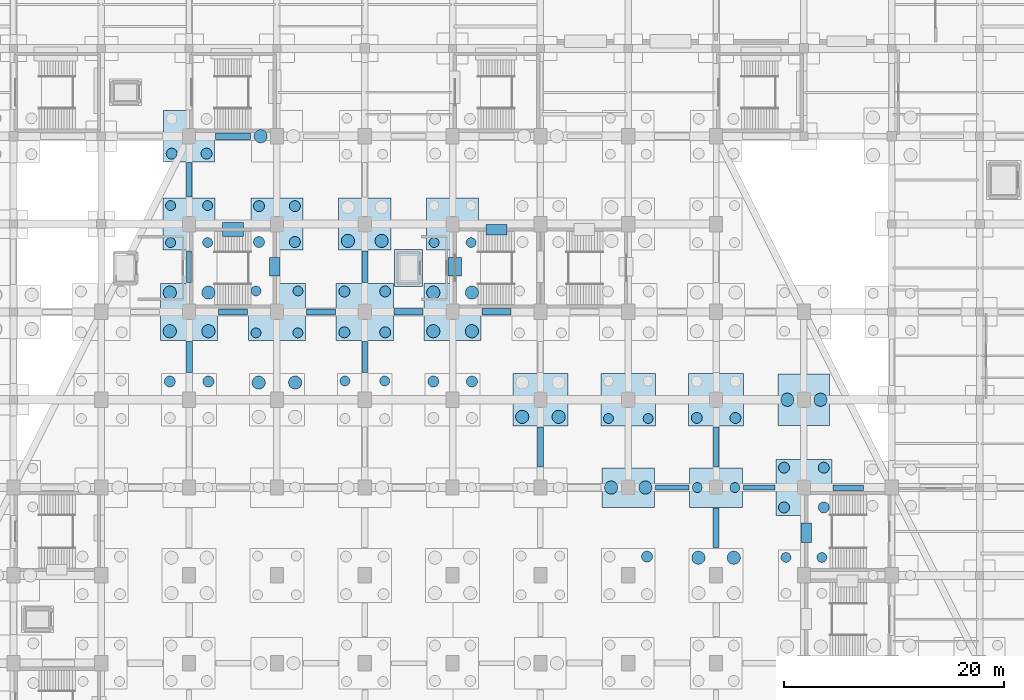
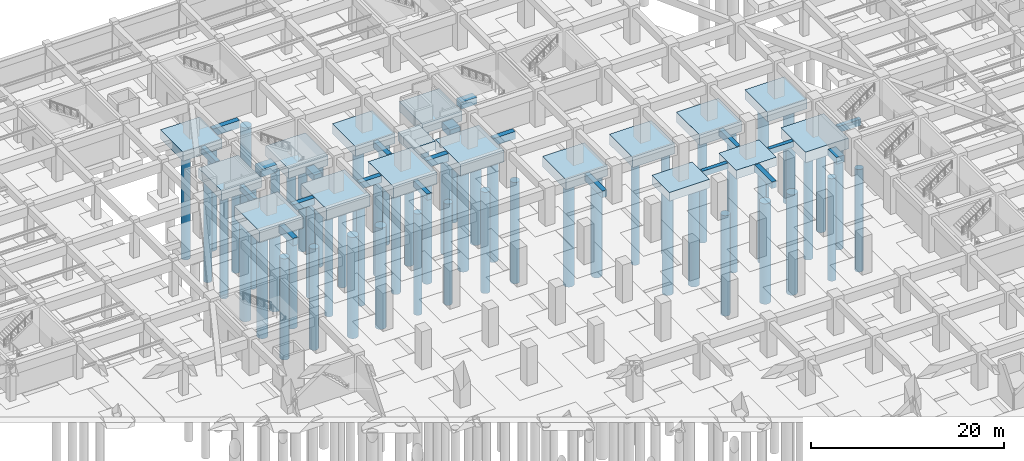
# One storey, part 10 of 36: 60 piles, 38 footings.
"""IFC4 building model written with IfcOpenShell, lengths in metres."""

from ifc_helpers import new_model, si_unit, direction, frame, origin, origin_2d, place, context, subcontext, project, spatial, rectangle, circle, extrude, material, material_profile, profile_set, type_object, element, save


model = new_model("IFC4")

# Units and contexts
model_context = context("Model", 3, precision=1e-05, world=origin(), true_north=direction((0.0, 1.0)))
body_context = subcontext(model_context, "Body", "Model", "MODEL_VIEW")
ifc_project = project(units=[si_unit("LENGTHUNIT", "METRE"), si_unit("AREAUNIT", "SQUARE_METRE"), si_unit("VOLUMEUNIT", "CUBIC_METRE"), si_unit("PLANEANGLEUNIT", "RADIAN"), si_unit("MASSUNIT", "GRAM", prefix="KILO")], contexts=[model_context])

# Site, building, storey
site_placement = place(None, origin())
site = spatial("IfcSite", under=ifc_project, at=site_placement, CompositionType="ELEMENT")
building_placement = place(site_placement, origin())
building = spatial("IfcBuilding", under=site, at=building_placement, Name="Tazarka Park Arena", CompositionType="ELEMENT")
storey_placement = place(building_placement, frame((0.0, 0.0, -4.800048828125)))
storey = spatial("IfcBuildingStorey", under=building, at=storey_placement, Name="B1", CompositionType="ELEMENT", Elevation=-4.800048828125)

# Footings
ifc_material_1 = material(Name="Concrete C35/45", Category="concrete")
footing_type_1 = type_object("IfcFootingType", Name="CAP-PC-01", PredefinedType="PILE_CAP", material=ifc_material_1)
footing_1_placement = place(storey_placement, frame((120.0, 88.0, -1.19970703125), z_axis=(0.0, 0.0, 1.0), x_axis=(1.0, 0.0, 0.0)))
element("IfcFooting", 1, at=footing_1_placement, inside=storey, type_object=footing_type_1, Name="CAP-G-15-11", PredefinedType="PILE_CAP", context=body_context, shape_type="SweptSolid", body=[
    extrude(rectangle(XDim=4.699951171875, YDim=4.699951171875, at=origin_2d()), origin(), (0.0, 0.0, 1.0), 1.199951171875),
])
ifc_material_2 = material(Name="Concrete C35/45", Category="concrete")
footing_type_2 = type_object("IfcFootingType", Name="CAP-PC-03", PredefinedType="PILE_CAP", material=ifc_material_2)
for number, where, z_axis, x_axis, name in (
    (2, (104.0, 80.0, -1.10009765625), (0.0, 0.0, 1.0), (1.0, 0.0, 0.0), "CAP-G-13-10"),
    (3, (112.0, 80.0, -1.10009765625), (0.0, 0.0, 1.0), (1.0, 0.0, 0.0), "CAP-G-14-10"),
):
    element("IfcFooting", number, at=place(storey_placement, frame(where, z_axis=z_axis, x_axis=x_axis)), inside=storey, type_object=footing_type_2, Name=name, PredefinedType="PILE_CAP", context=body_context, shape_type="SweptSolid", body=[
        extrude(rectangle(XDim=4.800048828125, YDim=3.60009765625, at=origin_2d()), origin(), (0.0, 0.0, 1.0), 1.10009765625),
    ])
ifc_material_3 = material(Name="Concrete C35/45", Category="concrete")
footing_type_3 = type_object("IfcFootingType", Name="CAP-PC-04", PredefinedType="PILE_CAP", material=ifc_material_3)
for number, where, z_axis, x_axis, name in (
    (4, (96.0, 88.0, -1.2998046875), (0.0, 0.0, 1.0), (1.0, 0.0, 0.0), "CAP-G-12-11"),
    (5, (104.0, 88.0, -1.2998046875), (0.0, 0.0, 1.0), (1.0, 0.0, 0.0), "CAP-G-13-11"),
    (6, (112.0, 88.0, -1.2998046875), (0.0, 0.0, 1.0), (1.0, 0.0, 0.0), "CAP-G-14-11"),
):
    element("IfcFooting", number, at=place(storey_placement, frame(where, z_axis=z_axis, x_axis=x_axis)), inside=storey, type_object=footing_type_3, Name=name, PredefinedType="PILE_CAP", context=body_context, shape_type="SweptSolid", body=[
        extrude(rectangle(XDim=5.0, YDim=4.800048828125, at=origin_2d()), origin(), (0.0, 0.0, 1.0), 1.300048828125),
    ])
ifc_material_4 = material(Name="Concrete C35/45", Category="concrete")
footing_type_4 = type_object("IfcFootingType", Name="CAP-PC-05", PredefinedType="PILE_CAP", material=ifc_material_4)
for number, where, z_axis, x_axis, name in (
    (7, (64.0, 96.0, -1.5), (0.0, 0.0, 1.0), (1.0, 0.0, 0.0), "CAP-G-08-12"),
    (8, (72.0, 96.0, -1.5), (0.0, 0.0, 1.0), (1.0, 0.0, 0.0), "CAP-G-09-12"),
    (9, (80.0, 96.0, -1.5), (0.0, 0.0, 1.0), (1.0, 0.0, 0.0), "CAP-G-10-12"),
    (10, (88.0, 96.0, -1.5), (0.0, 0.0, 1.0), (1.0, 0.0, 0.0), "CAP-G-11-12"),
):
    element("IfcFooting", number, at=place(storey_placement, frame(where, z_axis=z_axis, x_axis=x_axis)), inside=storey, type_object=footing_type_4, Name=name, PredefinedType="PILE_CAP", context=body_context, shape_type="SweptSolid", body=[
        extrude(rectangle(XDim=5.199951171875, YDim=5.199951171875, at=origin_2d()), origin(), (0.0, 0.0, 1.0), 1.5),
    ])
ifc_material_5 = material(Name="Concrete C35/45", Category="concrete")
footing_type_5 = type_object("IfcFootingType", Name="CAP-PC-06", PredefinedType="PILE_CAP", material=ifc_material_5)
for number, where, z_axis, x_axis, name in (
    (11, (64.0, 104.0, -1.25), (0.0, 0.0, 1.0), (1.0, 0.0, 0.0), "CAP-G-08-13"),
    (12, (72.0, 104.0, -1.25), (0.0, 0.0, 1.0), (1.0, 0.0, 0.0), "CAP-G-09-13"),
    (13, (80.0, 104.0, -1.25), (0.0, 0.0, 1.0), (1.0, 0.0, 0.0), "CAP-G-10-13"),
    (14, (88.0, 104.0, -1.25), (0.0, 0.0, 1.0), (1.0, 0.0, 0.0), "CAP-G-11-13"),
):
    element("IfcFooting", number, at=place(storey_placement, frame(where, z_axis=z_axis, x_axis=x_axis)), inside=storey, type_object=footing_type_5, Name=name, PredefinedType="PILE_CAP", context=body_context, shape_type="SweptSolid", body=[
        extrude(rectangle(XDim=4.75, YDim=4.75, at=origin_2d()), origin(), (0.0, 0.0, 1.0), 1.25),
    ])
ifc_material_6 = material(Name="Concrete C35/45", Category="concrete")
footing_type_6 = type_object("IfcFootingType", Name="CAP-PC-07", PredefinedType="PILE_CAP", material=ifc_material_6)
footing_2_placement = place(storey_placement, frame((64.0, 112.0, -1.14990234375), z_axis=(0.0, 0.0, 1.0), x_axis=(1.0, 0.0, 0.0)))
element("IfcFooting", 15, at=footing_2_placement, inside=storey, type_object=footing_type_6, Name="CAP-G-08-14", PredefinedType="PILE_CAP", context=body_context, shape_type="SweptSolid", body=[
    extrude(rectangle(XDim=4.64990234375, YDim=4.64990234375, at=origin_2d()), origin(), (0.0, 0.0, 1.0), 1.14990234375),
])
ifc_material_7 = material(Name="Concrete C35/45", Category="concrete")
footing_type_7 = type_object("IfcFootingType", Name="CAP-PC-08", PredefinedType="PILE_CAP", material=ifc_material_7)
footing_3_placement = place(storey_placement, frame((120.0, 80.0, -1.35009765625), z_axis=(0.0, 0.0, 1.0), x_axis=(1.0, 0.0, 0.0)))
element("IfcFooting", 16, at=footing_3_placement, inside=storey, type_object=footing_type_7, Name="CAP-G-15-10", PredefinedType="PILE_CAP", context=body_context, shape_type="SweptSolid", body=[
    extrude(rectangle(XDim=5.10009765625, YDim=5.10009765625, at=origin_2d()), origin(), (0.0, 0.0, 1.0), 1.35009765625),
])
ifc_material_8 = material(Name="Concrete C35/45", Category="concrete")
ifc_material_profile_1 = material_profile(ifc_material_8, rectangle(XDim=0.449951171875, YDim=0.699951171875, at=origin_2d()), Name="Concrete C35/45")
ifc_profile_set_1 = profile_set([ifc_material_profile_1], Name="Concrete C35/45")
footing_type_8 = type_object("IfcFootingType", Name="GB-GB-01", PredefinedType="FOOTING_BEAM", material=ifc_profile_set_1)
footing_4_placement = place(storey_placement, frame((64.0, 98.679931640625, -0.349853515625), z_axis=(0.0, 1.0, 0.0), x_axis=(-1.0, 0.0, 0.0)))
element("IfcFooting", 17, at=footing_4_placement, inside=storey, type_object=footing_type_8, Name="GB-Y-08-12", PredefinedType="FOOTING_BEAM", context=body_context, shape_type="SweptSolid", body=[
    extrude(rectangle(XDim=0.449951171875, YDim=0.699951171875, at=origin_2d()), origin(), (0.0, 0.0, 1.0), 2.864990234375),
])
footing_5_placement = place(storey_placement, frame((106.47998046875, 80.0, -0.349853515625), z_axis=(1.0, 0.0, 0.0), x_axis=(0.0, 1.0, 0.0)))
element("IfcFooting", 18, at=footing_5_placement, inside=storey, type_object=footing_type_8, Name="GB-X-13-10", PredefinedType="FOOTING_BEAM", context=body_context, shape_type="SweptSolid", body=[
    extrude(rectangle(XDim=0.449951171875, YDim=0.699951171875, at=origin_2d()), origin(), (0.0, 0.0, 1.0), 3.0400390625),
])
footing_6_placement = place(storey_placement, frame((114.47998046875, 80.0, -0.349853515625), z_axis=(1.0, 0.0, 0.0), x_axis=(0.0, 1.0, 0.0)))
element("IfcFooting", 19, at=footing_6_placement, inside=storey, type_object=footing_type_8, Name="GB-X-14-10", PredefinedType="FOOTING_BEAM", context=body_context, shape_type="SweptSolid", body=[
    extrude(rectangle(XDim=0.449951171875, YDim=0.699951171875, at=origin_2d()), origin(), (0.0, 0.0, 1.0), 2.89013671875),
])
ifc_material_9 = material(Name="Concrete C35/45", Category="concrete")
ifc_material_profile_2 = material_profile(ifc_material_9, rectangle(XDim=0.5, YDim=0.800048828125, at=origin_2d()), Name="Concrete C35/45")
ifc_profile_set_2 = profile_set([ifc_material_profile_2], Name="Concrete C35/45")
footing_type_9 = type_object("IfcFootingType", Name="GB-GB-02", PredefinedType="FOOTING_BEAM", material=ifc_profile_set_2)
footing_7_placement = place(storey_placement, frame((64.0, 106.455078125, -0.39990234375), z_axis=(0.0, 1.0, 0.0), x_axis=(-1.0, 0.0, 0.0)))
element("IfcFooting", 20, at=footing_7_placement, inside=storey, type_object=footing_type_9, Name="GB-Y-08-13", PredefinedType="FOOTING_BEAM", context=body_context, shape_type="SweptSolid", body=[
    extrude(rectangle(XDim=0.5, YDim=0.800048828125, at=origin_2d()), origin(), (0.0, 0.0, 1.0), 3.139892578125),
])
footing_8_placement = place(storey_placement, frame((80.0, 90.47998046875, -0.39990234375), z_axis=(0.0, 1.0, 0.0), x_axis=(-1.0, 0.0, 0.0)))
element("IfcFooting", 21, at=footing_8_placement, inside=storey, type_object=footing_type_9, Name="GB-Y-10-11", PredefinedType="FOOTING_BEAM", context=body_context, shape_type="SweptSolid", body=[
    extrude(rectangle(XDim=0.5, YDim=0.800048828125, at=origin_2d()), origin(), (0.0, 0.0, 1.0), 2.840087890625),
])
footing_9_placement = place(storey_placement, frame((112.0, 81.8798828125, -0.39990234375), z_axis=(0.0, 1.0, 0.0), x_axis=(-1.0, 0.0, 0.0)))
element("IfcFooting", 22, at=footing_9_placement, inside=storey, type_object=footing_type_9, Name="GB-Y-14-10", PredefinedType="FOOTING_BEAM", context=body_context, shape_type="SweptSolid", body=[
    extrude(rectangle(XDim=0.5, YDim=0.800048828125, at=origin_2d()), origin(), (0.0, 0.0, 1.0), 3.64013671875),
])
footing_10_placement = place(storey_placement, frame((122.6298828125, 80.0, -0.39990234375), z_axis=(1.0, 0.0, 0.0), x_axis=(0.0, 1.0, 0.0)))
element("IfcFooting", 23, at=footing_10_placement, inside=storey, type_object=footing_type_9, Name="GB-X-15-10", PredefinedType="FOOTING_BEAM", context=body_context, shape_type="SweptSolid", body=[
    extrude(rectangle(XDim=0.5, YDim=0.800048828125, at=origin_2d()), origin(), (0.0, 0.0, 1.0), 2.7900390625),
])
ifc_material_10 = material(Name="Concrete C35/45", Category="concrete")
ifc_material_profile_3 = material_profile(ifc_material_10, rectangle(XDim=0.60009765625, YDim=0.949951171875, at=origin_2d()), Name="Concrete C35/45")
ifc_profile_set_3 = profile_set([ifc_material_profile_3], Name="Concrete C35/45")
footing_type_10 = type_object("IfcFootingType", Name="GB-GB-03", PredefinedType="FOOTING_BEAM", material=ifc_profile_set_3)
footing_11_placement = place(storey_placement, frame((64.0, 90.47998046875, -0.474853515625), z_axis=(0.0, 1.0, 0.0), x_axis=(-1.0, 0.0, 0.0)))
element("IfcFooting", 24, at=footing_11_placement, inside=storey, type_object=footing_type_10, Name="GB-Y-08-11", PredefinedType="FOOTING_BEAM", context=body_context, shape_type="SweptSolid", body=[
    extrude(rectangle(XDim=0.60009765625, YDim=0.949951171875, at=origin_2d()), origin(), (0.0, 0.0, 1.0), 2.840087890625),
])
footing_12_placement = place(storey_placement, frame((66.405029296875, 112.0, -0.474853515625), z_axis=(1.0, 0.0, 0.0), x_axis=(0.0, 1.0, 0.0)))
element("IfcFooting", 25, at=footing_12_placement, inside=storey, type_object=footing_type_10, Name="GB-X-08-14", PredefinedType="FOOTING_BEAM", context=body_context, shape_type="SweptSolid", body=[
    extrude(rectangle(XDim=0.60009765625, YDim=0.949951171875, at=origin_2d()), origin(), (0.0, 0.0, 1.0), 3.18994140625),
])
for number, where, z_axis, x_axis, name in (
    (26, (82.679931640625, 96.0, -0.474853515625), (1.0, 0.0, 0.0), (0.0, 1.0, 0.0), "GB-X-10-12"),
    (27, (90.679931640625, 96.0, -0.474853515625), (1.0, 0.0, 0.0), (0.0, 1.0, 0.0), "GB-X-11-12"),
):
    element("IfcFooting", number, at=place(storey_placement, frame(where, z_axis=z_axis, x_axis=x_axis)), inside=storey, type_object=footing_type_10, Name=name, PredefinedType="FOOTING_BEAM", context=body_context, shape_type="SweptSolid", body=[
        extrude(rectangle(XDim=0.60009765625, YDim=0.949951171875, at=origin_2d()), origin(), (0.0, 0.0, 1.0), 2.64013671875),
    ])
ifc_material_11 = material(Name="Concrete C35/45", Category="concrete")
ifc_material_profile_4 = material_profile(ifc_material_11, rectangle(XDim=0.550048828125, YDim=0.85009765625, at=origin_2d()), Name="Concrete C35/45")
ifc_profile_set_4 = profile_set([ifc_material_profile_4], Name="Concrete C35/45")
footing_type_11 = type_object("IfcFootingType", Name="GB-GB-04", PredefinedType="FOOTING_BEAM", material=ifc_profile_set_4)
for number, where, z_axis, x_axis, name in (
    (28, (66.679931640625, 96.0, -0.425048828125), (1.0, 0.0, 0.0), (0.0, 1.0, 0.0), "GB-X-08-12"),
    (29, (74.679931640625, 96.0, -0.425048828125), (1.0, 0.0, 0.0), (0.0, 1.0, 0.0), "GB-X-09-12"),
):
    element("IfcFooting", number, at=place(storey_placement, frame(where, z_axis=z_axis, x_axis=x_axis)), inside=storey, type_object=footing_type_11, Name=name, PredefinedType="FOOTING_BEAM", context=body_context, shape_type="SweptSolid", body=[
        extrude(rectangle(XDim=0.550048828125, YDim=0.85009765625, at=origin_2d()), origin(), (0.0, 0.0, 1.0), 2.64013671875),
    ])
footing_13_placement = place(storey_placement, frame((80.0, 98.679931640625, -0.425048828125), z_axis=(0.0, 1.0, 0.0), x_axis=(-1.0, 0.0, 0.0)))
element("IfcFooting", 30, at=footing_13_placement, inside=storey, type_object=footing_type_11, Name="GB-Y-10-12", PredefinedType="FOOTING_BEAM", context=body_context, shape_type="SweptSolid", body=[
    extrude(rectangle(XDim=0.550048828125, YDim=0.85009765625, at=origin_2d()), origin(), (0.0, 0.0, 1.0), 2.864990234375),
])
footing_14_placement = place(storey_placement, frame((96.0, 81.8798828125, -0.425048828125), z_axis=(0.0, 1.0, 0.0), x_axis=(-1.0, 0.0, 0.0)))
element("IfcFooting", 31, at=footing_14_placement, inside=storey, type_object=footing_type_11, Name="GB-Y-12-10", PredefinedType="FOOTING_BEAM", context=body_context, shape_type="SweptSolid", body=[
    extrude(rectangle(XDim=0.550048828125, YDim=0.85009765625, at=origin_2d()), origin(), (0.0, 0.0, 1.0), 3.64013671875),
])
footing_15_placement = place(storey_placement, frame((112.0, 74.530029296875, -0.425048828125), z_axis=(0.0, 1.0, 0.0), x_axis=(-1.0, 0.0, 0.0)))
element("IfcFooting", 32, at=footing_15_placement, inside=storey, type_object=footing_type_11, Name="GB-Y-14-09", PredefinedType="FOOTING_BEAM", context=body_context, shape_type="SweptSolid", body=[
    extrude(rectangle(XDim=0.550048828125, YDim=0.85009765625, at=origin_2d()), origin(), (0.0, 0.0, 1.0), 3.590087890625),
])
ifc_material_12 = material(Name="Concrete C35/45", Category="concrete")
footing_type_12 = type_object("IfcFootingType", Name="PAD-PF-05", PredefinedType="PAD_FOOTING", material=ifc_material_12)
footing_16_placement = place(storey_placement, frame((84.0, 100.0, -1.0498046875), z_axis=(0.0, 0.0, 1.0), x_axis=(1.0, 0.0, 0.0)))
element("IfcFooting", 33, at=footing_16_placement, inside=storey, type_object=footing_type_12, Name="PAD-LF-LF-03", PredefinedType="PAD_FOOTING", context=body_context, shape_type="SweptSolid", body=[
    extrude(rectangle(XDim=2.5400390625, YDim=3.340087890625, at=origin_2d()), origin(), (0.0, 0.0, 1.0), 1.050048828125),
])

# Piles
ifc_material_13 = material(Name="Concrete C35/45", Category="concrete")
ifc_material_profile_5 = material_profile(ifc_material_13, circle(Radius=0.5, at=origin_2d()), Name="Concrete C35/45")
ifc_profile_set_5 = profile_set([ifc_material_profile_5], Name="Concrete C35/45")
pile_type_1 = type_object("IfcPileType", Name="PILE-D1000", PredefinedType="BORED", material=ifc_profile_set_5)
for number, where, z_axis, x_axis, name in (
    (34, (62.239990234375, 89.659912109375, -1.199951171875), (0.0, 0.0, -1.0), (1.0, 0.0, 0.0), "PLN-G-08-11-3"),
    (35, (65.760009765625, 89.659912109375, -1.199951171875), (0.0, 0.0, -1.0), (1.0, 0.0, 0.0), "PLN-G-08-11-4"),
):
    element("IfcPile", number, at=place(storey_placement, frame(where, z_axis=z_axis, x_axis=x_axis)), inside=storey, type_object=pile_type_1, Name=name, PredefinedType="BORED", context=body_context, shape_type="SweptSolid", body=[
        extrude(circle(Radius=0.5, at=origin_2d()), origin(), (0.0, 0.0, 1.0), 12.800048828125),
    ])
for number, where, z_axis, x_axis, name in (
    (36, (62.4150390625, 110.4150390625, -1.050048828125), (0.0, 0.0, -1.0), (1.0, 0.0, 0.0), "PLN-G-08-14-1"),
    (37, (65.5849609375, 110.4150390625, -1.050048828125), (0.0, 0.0, -1.0), (1.0, 0.0, 0.0), "PLN-G-08-14-2"),
):
    element("IfcPile", number, at=place(storey_placement, frame(where, z_axis=z_axis, x_axis=x_axis)), inside=storey, type_object=pile_type_1, Name=name, PredefinedType="BORED", context=body_context, shape_type="SweptSolid", body=[
        extrude(circle(Radius=0.5, at=origin_2d()), origin(), (0.0, 0.0, 1.0), 12.949951171875),
    ])
for number, where, z_axis, x_axis, name in (
    (38, (70.364990234375, 102.364990234375, -1.14990234375), (0.0, 0.0, -1.0), (1.0, 0.0, 0.0), "PLN-G-09-13-1"),
    (39, (73.635009765625, 102.364990234375, -1.14990234375), (0.0, 0.0, -1.0), (1.0, 0.0, 0.0), "PLN-G-09-13-2"),
    (40, (70.364990234375, 105.635009765625, -1.14990234375), (0.0, 0.0, -1.0), (1.0, 0.0, 0.0), "PLN-G-09-13-3"),
    (41, (73.635009765625, 105.635009765625, -1.14990234375), (0.0, 0.0, -1.0), (1.0, 0.0, 0.0), "PLN-G-09-13-4"),
):
    element("IfcPile", number, at=place(storey_placement, frame(where, z_axis=z_axis, x_axis=x_axis)), inside=storey, type_object=pile_type_1, Name=name, PredefinedType="BORED", context=body_context, shape_type="SweptSolid", body=[
        extrude(circle(Radius=0.5, at=origin_2d()), origin(), (0.0, 0.0, 1.0), 12.85009765625),
    ])
for number, where, z_axis, x_axis, name in (
    (42, (78.139892578125, 94.139892578125, -1.39990234375), (0.0, 0.0, -1.0), (1.0, 0.0, 0.0), "PLN-G-10-12-1"),
    (43, (81.860107421875, 94.139892578125, -1.39990234375), (0.0, 0.0, -1.0), (1.0, 0.0, 0.0), "PLN-G-10-12-2"),
    (44, (78.139892578125, 97.860107421875, -1.39990234375), (0.0, 0.0, -1.0), (1.0, 0.0, 0.0), "PLN-G-10-12-3"),
    (45, (81.860107421875, 97.860107421875, -1.39990234375), (0.0, 0.0, -1.0), (1.0, 0.0, 0.0), "PLN-G-10-12-4"),
):
    element("IfcPile", number, at=place(storey_placement, frame(where, z_axis=z_axis, x_axis=x_axis)), inside=storey, type_object=pile_type_1, Name=name, PredefinedType="BORED", context=body_context, shape_type="SweptSolid", body=[
        extrude(circle(Radius=0.5, at=origin_2d()), origin(), (0.0, 0.0, 1.0), 12.60009765625),
    ])
for number, where, z_axis, x_axis, name in (
    (46, (86.239990234375, 89.659912109375, -1.199951171875), (0.0, 0.0, -1.0), (1.0, 0.0, 0.0), "PLN-G-11-11-3"),
    (47, (89.760009765625, 89.659912109375, -1.199951171875), (0.0, 0.0, -1.0), (1.0, 0.0, 0.0), "PLN-G-11-11-4"),
):
    element("IfcPile", number, at=place(storey_placement, frame(where, z_axis=z_axis, x_axis=x_axis)), inside=storey, type_object=pile_type_1, Name=name, PredefinedType="BORED", context=body_context, shape_type="SweptSolid", body=[
        extrude(circle(Radius=0.5, at=origin_2d()), origin(), (0.0, 0.0, 1.0), 12.800048828125),
    ])
pile_1_placement = place(storey_placement, frame((105.7099609375, 73.7099609375, -1.300048828125), z_axis=(0.0, 0.0, -1.0), x_axis=(1.0, 0.0, 0.0)))
element("IfcPile", 48, at=pile_1_placement, inside=storey, type_object=pile_type_1, Name="PLN-G-13-09-4", PredefinedType="BORED", context=body_context, shape_type="SweptSolid", body=[
    extrude(circle(Radius=0.5, at=origin_2d()), origin(), (0.0, 0.0, 1.0), 12.699951171875),
])
for number, where, z_axis, x_axis, name in (
    (49, (110.239990234375, 86.340087890625, -1.199951171875), (0.0, 0.0, -1.0), (1.0, 0.0, 0.0), "PLN-G-14-11-1"),
    (50, (113.760009765625, 86.340087890625, -1.199951171875), (0.0, 0.0, -1.0), (1.0, 0.0, 0.0), "PLN-G-14-11-2"),
):
    element("IfcPile", number, at=place(storey_placement, frame(where, z_axis=z_axis, x_axis=x_axis)), inside=storey, type_object=pile_type_1, Name=name, PredefinedType="BORED", context=body_context, shape_type="SweptSolid", body=[
        extrude(circle(Radius=0.5, at=origin_2d()), origin(), (0.0, 0.0, 1.0), 12.800048828125),
    ])
for number, where, z_axis, x_axis, name in (
    (51, (118.18994140625, 78.18994140625, -1.25), (0.0, 0.0, -1.0), (1.0, 0.0, 0.0), "PLN-G-15-10-1"),
    (52, (121.81005859375, 78.18994140625, -1.25), (0.0, 0.0, -1.0), (1.0, 0.0, 0.0), "PLN-G-15-10-2"),
    (53, (118.18994140625, 81.81005859375, -1.25), (0.0, 0.0, -1.0), (1.0, 0.0, 0.0), "PLN-G-15-10-3"),
    (54, (121.81005859375, 81.81005859375, -1.25), (0.0, 0.0, -1.0), (1.0, 0.0, 0.0), "PLN-G-15-10-4"),
):
    element("IfcPile", number, at=place(storey_placement, frame(where, z_axis=z_axis, x_axis=x_axis)), inside=storey, type_object=pile_type_1, Name=name, PredefinedType="BORED", context=body_context, shape_type="SweptSolid", body=[
        extrude(circle(Radius=0.5, at=origin_2d()), origin(), (0.0, 0.0, 1.0), 12.75),
    ])
ifc_material_14 = material(Name="Concrete C35/45", Category="concrete")
ifc_material_profile_6 = material_profile(ifc_material_14, circle(Radius=0.60009765625, at=origin_2d()), Name="Concrete C35/45")
ifc_profile_set_6 = profile_set([ifc_material_profile_6], Name="Concrete C35/45")
pile_type_2 = type_object("IfcPileType", Name="PILE-D1200", PredefinedType="BORED", material=ifc_profile_set_6)
for number, where, z_axis, x_axis, name in (
    (55, (62.239990234375, 94.239990234375, -1.39990234375), (0.0, 0.0, -1.0), (1.0, 0.0, 0.0), "PLN-G-08-12-1"),
    (56, (65.760009765625, 94.239990234375, -1.39990234375), (0.0, 0.0, -1.0), (1.0, 0.0, 0.0), "PLN-G-08-12-2"),
    (57, (62.239990234375, 97.760009765625, -1.39990234375), (0.0, 0.0, -1.0), (1.0, 0.0, 0.0), "PLN-G-08-12-3"),
    (58, (65.760009765625, 97.760009765625, -1.39990234375), (0.0, 0.0, -1.0), (1.0, 0.0, 0.0), "PLN-G-08-12-4"),
):
    element("IfcPile", number, at=place(storey_placement, frame(where, z_axis=z_axis, x_axis=x_axis)), inside=storey, type_object=pile_type_2, Name=name, PredefinedType="BORED", context=body_context, shape_type="SweptSolid", body=[
        extrude(circle(Radius=0.60009765625, at=origin_2d()), origin(), (0.0, 0.0, 1.0), 12.60009765625),
    ])
for number, where, z_axis, x_axis, name in (
    (59, (70.340087890625, 89.56005859375, -1.199951171875), (0.0, 0.0, -1.0), (1.0, 0.0, 0.0), "PLN-G-09-11-3"),
    (60, (73.659912109375, 89.56005859375, -1.199951171875), (0.0, 0.0, -1.0), (1.0, 0.0, 0.0), "PLN-G-09-11-4"),
):
    element("IfcPile", number, at=place(storey_placement, frame(where, z_axis=z_axis, x_axis=x_axis)), inside=storey, type_object=pile_type_2, Name=name, PredefinedType="BORED", context=body_context, shape_type="SweptSolid", body=[
        extrude(circle(Radius=0.60009765625, at=origin_2d()), origin(), (0.0, 0.0, 1.0), 12.800048828125),
    ])
pile_2_placement = place(storey_placement, frame((70.514892578125, 112.0, -1.050048828125), z_axis=(0.0, 0.0, -1.0), x_axis=(1.0, 0.0, 0.0)))
element("IfcPile", 61, at=pile_2_placement, inside=storey, type_object=pile_type_2, Name="PLN-G-09-14-1", PredefinedType="BORED", context=body_context, shape_type="SweptSolid", body=[
    extrude(circle(Radius=0.60009765625, at=origin_2d()), origin(), (0.0, 0.0, 1.0), 12.949951171875),
])
for number, where, z_axis, x_axis, name in (
    (62, (78.465087890625, 102.465087890625, -1.14990234375), (0.0, 0.0, -1.0), (1.0, 0.0, 0.0), "PLN-G-10-13-1"),
    (63, (81.534912109375, 102.465087890625, -1.14990234375), (0.0, 0.0, -1.0), (1.0, 0.0, 0.0), "PLN-G-10-13-2"),
):
    element("IfcPile", number, at=place(storey_placement, frame(where, z_axis=z_axis, x_axis=x_axis)), inside=storey, type_object=pile_type_2, Name=name, PredefinedType="BORED", context=body_context, shape_type="SweptSolid", body=[
        extrude(circle(Radius=0.60009765625, at=origin_2d()), origin(), (0.0, 0.0, 1.0), 12.85009765625),
    ])
for number, where, z_axis, x_axis, name in (
    (64, (86.239990234375, 94.239990234375, -1.39990234375), (0.0, 0.0, -1.0), (1.0, 0.0, 0.0), "PLN-G-11-12-1"),
    (65, (89.760009765625, 94.239990234375, -1.39990234375), (0.0, 0.0, -1.0), (1.0, 0.0, 0.0), "PLN-G-11-12-2"),
    (66, (86.239990234375, 97.760009765625, -1.39990234375), (0.0, 0.0, -1.0), (1.0, 0.0, 0.0), "PLN-G-11-12-3"),
    (67, (89.760009765625, 97.760009765625, -1.39990234375), (0.0, 0.0, -1.0), (1.0, 0.0, 0.0), "PLN-G-11-12-4"),
):
    element("IfcPile", number, at=place(storey_placement, frame(where, z_axis=z_axis, x_axis=x_axis)), inside=storey, type_object=pile_type_2, Name=name, PredefinedType="BORED", context=body_context, shape_type="SweptSolid", body=[
        extrude(circle(Radius=0.60009765625, at=origin_2d()), origin(), (0.0, 0.0, 1.0), 12.60009765625),
    ])
for number, where, z_axis, x_axis, name in (
    (68, (94.340087890625, 86.43994140625, -1.199951171875), (0.0, 0.0, -1.0), (1.0, 0.0, 0.0), "PLN-G-12-11-1"),
    (69, (97.659912109375, 86.43994140625, -1.199951171875), (0.0, 0.0, -1.0), (1.0, 0.0, 0.0), "PLN-G-12-11-2"),
):
    element("IfcPile", number, at=place(storey_placement, frame(where, z_axis=z_axis, x_axis=x_axis)), inside=storey, type_object=pile_type_2, Name=name, PredefinedType="BORED", context=body_context, shape_type="SweptSolid", body=[
        extrude(circle(Radius=0.60009765625, at=origin_2d()), origin(), (0.0, 0.0, 1.0), 12.800048828125),
    ])
for number, where, z_axis, x_axis, name in (
    (70, (102.43994140625, 80.0, -1.0), (0.0, 0.0, -1.0), (1.0, 0.0, 0.0), "PLN-G-13-10-1"),
    (71, (105.56005859375, 80.0, -1.0), (0.0, 0.0, -1.0), (1.0, 0.0, 0.0), "PLN-G-13-10-2"),
):
    element("IfcPile", number, at=place(storey_placement, frame(where, z_axis=z_axis, x_axis=x_axis)), inside=storey, type_object=pile_type_2, Name=name, PredefinedType="BORED", context=body_context, shape_type="SweptSolid", body=[
        extrude(circle(Radius=0.60009765625, at=origin_2d()), origin(), (0.0, 0.0, 1.0), 13.0),
    ])
for number, where, z_axis, x_axis, name in (
    (72, (110.389892578125, 73.610107421875, -1.300048828125), (0.0, 0.0, -1.0), (1.0, 0.0, 0.0), "PLN-G-14-09-3"),
    (73, (113.610107421875, 73.610107421875, -1.300048828125), (0.0, 0.0, -1.0), (1.0, 0.0, 0.0), "PLN-G-14-09-4"),
):
    element("IfcPile", number, at=place(storey_placement, frame(where, z_axis=z_axis, x_axis=x_axis)), inside=storey, type_object=pile_type_2, Name=name, PredefinedType="BORED", context=body_context, shape_type="SweptSolid", body=[
        extrude(circle(Radius=0.60009765625, at=origin_2d()), origin(), (0.0, 0.0, 1.0), 12.699951171875),
    ])
for number, where, z_axis, x_axis, name in (
    (74, (118.489990234375, 88.0, -1.099853515625), (0.0, 0.0, -1.0), (1.0, 0.0, 0.0), "PLN-G-15-11-1"),
    (75, (121.510009765625, 88.0, -1.099853515625), (0.0, 0.0, -1.0), (1.0, 0.0, 0.0), "PLN-G-15-11-2"),
):
    element("IfcPile", number, at=place(storey_placement, frame(where, z_axis=z_axis, x_axis=x_axis)), inside=storey, type_object=pile_type_2, Name=name, PredefinedType="BORED", context=body_context, shape_type="SweptSolid", body=[
        extrude(circle(Radius=0.60009765625, at=origin_2d()), origin(), (0.0, 0.0, 1.0), 12.89990234375),
    ])
ifc_material_15 = material(Name="Concrete C35/45", Category="concrete")
ifc_material_profile_7 = material_profile(ifc_material_15, circle(Radius=0.449951171875, at=origin_2d()), Name="Concrete C35/45")
ifc_profile_set_7 = profile_set([ifc_material_profile_7], Name="Concrete C35/45")
pile_type_3 = type_object("IfcPileType", Name="PILE-D900", PredefinedType="BORED", material=ifc_profile_set_7)
for number, where, z_axis, x_axis, name in (
    (76, (62.31494140625, 102.31494140625, -1.14990234375), (0.0, 0.0, -1.0), (1.0, 0.0, 0.0), "PLN-G-08-13-1"),
    (77, (65.68505859375, 102.31494140625, -1.14990234375), (0.0, 0.0, -1.0), (1.0, 0.0, 0.0), "PLN-G-08-13-2"),
    (78, (62.31494140625, 105.68505859375, -1.14990234375), (0.0, 0.0, -1.0), (1.0, 0.0, 0.0), "PLN-G-08-13-3"),
    (79, (65.68505859375, 105.68505859375, -1.14990234375), (0.0, 0.0, -1.0), (1.0, 0.0, 0.0), "PLN-G-08-13-4"),
):
    element("IfcPile", number, at=place(storey_placement, frame(where, z_axis=z_axis, x_axis=x_axis)), inside=storey, type_object=pile_type_3, Name=name, PredefinedType="BORED", context=body_context, shape_type="SweptSolid", body=[
        extrude(circle(Radius=0.449951171875, at=origin_2d()), origin(), (0.0, 0.0, 1.0), 12.85009765625),
    ])
for number, where, z_axis, x_axis, name in (
    (80, (70.090087890625, 94.090087890625, -1.39990234375), (0.0, 0.0, -1.0), (1.0, 0.0, 0.0), "PLN-G-09-12-1"),
    (81, (73.909912109375, 94.090087890625, -1.39990234375), (0.0, 0.0, -1.0), (1.0, 0.0, 0.0), "PLN-G-09-12-2"),
    (82, (70.090087890625, 97.909912109375, -1.39990234375), (0.0, 0.0, -1.0), (1.0, 0.0, 0.0), "PLN-G-09-12-3"),
    (83, (73.909912109375, 97.909912109375, -1.39990234375), (0.0, 0.0, -1.0), (1.0, 0.0, 0.0), "PLN-G-09-12-4"),
):
    element("IfcPile", number, at=place(storey_placement, frame(where, z_axis=z_axis, x_axis=x_axis)), inside=storey, type_object=pile_type_3, Name=name, PredefinedType="BORED", context=body_context, shape_type="SweptSolid", body=[
        extrude(circle(Radius=0.449951171875, at=origin_2d()), origin(), (0.0, 0.0, 1.0), 12.60009765625),
    ])
for number, where, z_axis, x_axis, name in (
    (84, (78.18994140625, 89.7099609375, -1.199951171875), (0.0, 0.0, -1.0), (1.0, 0.0, 0.0), "PLN-G-10-11-3"),
    (85, (81.81005859375, 89.7099609375, -1.199951171875), (0.0, 0.0, -1.0), (1.0, 0.0, 0.0), "PLN-G-10-11-4"),
):
    element("IfcPile", number, at=place(storey_placement, frame(where, z_axis=z_axis, x_axis=x_axis)), inside=storey, type_object=pile_type_3, Name=name, PredefinedType="BORED", context=body_context, shape_type="SweptSolid", body=[
        extrude(circle(Radius=0.449951171875, at=origin_2d()), origin(), (0.0, 0.0, 1.0), 12.800048828125),
    ])
for number, where, z_axis, x_axis, name in (
    (86, (86.31494140625, 102.31494140625, -1.14990234375), (0.0, 0.0, -1.0), (1.0, 0.0, 0.0), "PLN-G-11-13-1"),
    (87, (89.68505859375, 102.31494140625, -1.14990234375), (0.0, 0.0, -1.0), (1.0, 0.0, 0.0), "PLN-G-11-13-2"),
):
    element("IfcPile", number, at=place(storey_placement, frame(where, z_axis=z_axis, x_axis=x_axis)), inside=storey, type_object=pile_type_3, Name=name, PredefinedType="BORED", context=body_context, shape_type="SweptSolid", body=[
        extrude(circle(Radius=0.449951171875, at=origin_2d()), origin(), (0.0, 0.0, 1.0), 12.85009765625),
    ])
for number, where, z_axis, x_axis, name in (
    (88, (102.18994140625, 86.2900390625, -1.199951171875), (0.0, 0.0, -1.0), (1.0, 0.0, 0.0), "PLN-G-13-11-1"),
    (89, (105.81005859375, 86.2900390625, -1.199951171875), (0.0, 0.0, -1.0), (1.0, 0.0, 0.0), "PLN-G-13-11-2"),
):
    element("IfcPile", number, at=place(storey_placement, frame(where, z_axis=z_axis, x_axis=x_axis)), inside=storey, type_object=pile_type_3, Name=name, PredefinedType="BORED", context=body_context, shape_type="SweptSolid", body=[
        extrude(circle(Radius=0.449951171875, at=origin_2d()), origin(), (0.0, 0.0, 1.0), 12.800048828125),
    ])
for number, where, z_axis, x_axis, name in (
    (90, (110.2900390625, 80.0, -1.0), (0.0, 0.0, -1.0), (1.0, 0.0, 0.0), "PLN-G-14-10-1"),
    (91, (113.7099609375, 80.0, -1.0), (0.0, 0.0, -1.0), (1.0, 0.0, 0.0), "PLN-G-14-10-2"),
):
    element("IfcPile", number, at=place(storey_placement, frame(where, z_axis=z_axis, x_axis=x_axis)), inside=storey, type_object=pile_type_3, Name=name, PredefinedType="BORED", context=body_context, shape_type="SweptSolid", body=[
        extrude(circle(Radius=0.449951171875, at=origin_2d()), origin(), (0.0, 0.0, 1.0), 13.0),
    ])
for number, where, z_axis, x_axis, name in (
    (92, (118.364990234375, 73.635009765625, -1.050048828125), (0.0, 0.0, -1.0), (1.0, 0.0, 0.0), "PLN-G-15-09-3"),
    (93, (121.635009765625, 73.635009765625, -1.050048828125), (0.0, 0.0, -1.0), (1.0, 0.0, 0.0), "PLN-G-15-09-4"),
):
    element("IfcPile", number, at=place(storey_placement, frame(where, z_axis=z_axis, x_axis=x_axis)), inside=storey, type_object=pile_type_3, Name=name, PredefinedType="BORED", context=body_context, shape_type="SweptSolid", body=[
        extrude(circle(Radius=0.449951171875, at=origin_2d()), origin(), (0.0, 0.0, 1.0), 12.949951171875),
    ])

# Footings
ifc_material_16 = material(Name="Concrete C35/45", Category="concrete")
ifc_material_profile_8 = material_profile(ifc_material_16, rectangle(XDim=0.949951171875, YDim=0.85009765625, at=origin_2d()), Name="Concrete C35/45")
ifc_profile_set_8 = profile_set([ifc_material_profile_8], Name="Concrete C35/45")
footing_type_13 = type_object("IfcFootingType", Name="SF-SF-01", PredefinedType="STRIP_FOOTING", material=ifc_profile_set_8)
footing_17_placement = place(storey_placement, frame((71.800048828125, 100.945068359375, -0.425048828125), z_axis=(0.0, -1.0, 0.0), x_axis=(1.0, 0.0, 0.0)))
element("IfcFooting", 94, at=footing_17_placement, inside=storey, type_object=footing_type_13, Name="SF-ST14-E-1", PredefinedType="STRIP_FOOTING", context=body_context, shape_type="SweptSolid", body=[
    extrude(rectangle(XDim=0.949951171875, YDim=0.85009765625, at=origin_2d()), origin(), (0.0, 0.0, 1.0), 1.6650390625),
])
footing_18_placement = place(storey_placement, frame((91.054931640625, 103.5, -0.425048828125), z_axis=(1.0, 0.0, 0.0), x_axis=(0.0, 1.0, 0.0)))
element("IfcFooting", 95, at=footing_18_placement, inside=storey, type_object=footing_type_13, Name="SF-ST15-N-1", PredefinedType="STRIP_FOOTING", context=body_context, shape_type="SweptSolid", body=[
    extrude(rectangle(XDim=0.949951171875, YDim=0.85009765625, at=origin_2d()), origin(), (0.0, 0.0, 1.0), 1.89013671875),
])
footing_19_placement = place(storey_placement, frame((120.199951171875, 75.0048828125, -0.425048828125), z_axis=(0.0, 1.0, 0.0), x_axis=(-1.0, 0.0, 0.0)))
element("IfcFooting", 96, at=footing_19_placement, inside=storey, type_object=footing_type_13, Name="SF-ST22-W-1", PredefinedType="STRIP_FOOTING", context=body_context, shape_type="SweptSolid", body=[
    extrude(rectangle(XDim=0.949951171875, YDim=0.85009765625, at=origin_2d()), origin(), (0.0, 0.0, 1.0), 1.76513671875),
])
ifc_material_17 = material(Name="Concrete C35/45", Category="concrete")
ifc_material_profile_9 = material_profile(ifc_material_17, rectangle(XDim=1.25, YDim=0.949951171875, at=origin_2d()), Name="Concrete C35/45")
ifc_profile_set_9 = profile_set([ifc_material_profile_9], Name="Concrete C35/45")
footing_type_14 = type_object("IfcFootingType", Name="SF-SF-03", PredefinedType="STRIP_FOOTING", material=ifc_profile_set_9)
footing_20_placement = place(storey_placement, frame((67.054931640625, 103.5, -0.474853515625), z_axis=(1.0, 0.0, 0.0), x_axis=(0.0, 1.0, 0.0)))
element("IfcFooting", 97, at=footing_20_placement, inside=storey, type_object=footing_type_14, Name="SF-ST14-N-1", PredefinedType="STRIP_FOOTING", context=body_context, shape_type="SweptSolid", body=[
    extrude(rectangle(XDim=1.25, YDim=0.949951171875, at=origin_2d()), origin(), (0.0, 0.0, 1.0), 1.89013671875),
])
footing_21_placement = place(storey_placement, frame((88.199951171875, 99.280029296875, -0.474853515625), z_axis=(0.0, 1.0, 0.0), x_axis=(-1.0, 0.0, 0.0)))
element("IfcFooting", 98, at=footing_21_placement, inside=storey, type_object=footing_type_14, Name="SF-ST15-W-1", PredefinedType="STRIP_FOOTING", context=body_context, shape_type="SweptSolid", body=[
    extrude(rectangle(XDim=1.25, YDim=0.949951171875, at=origin_2d()), origin(), (0.0, 0.0, 1.0), 1.6650390625),
])

save(model, "model.ifc")
